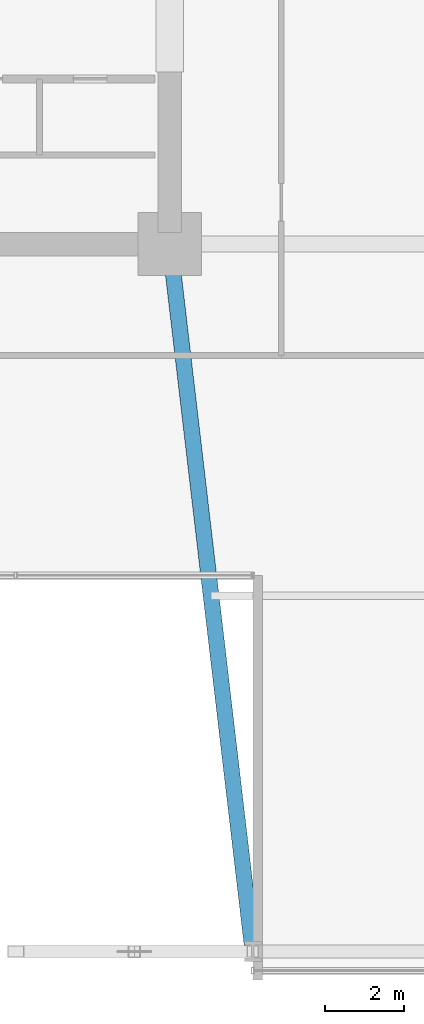
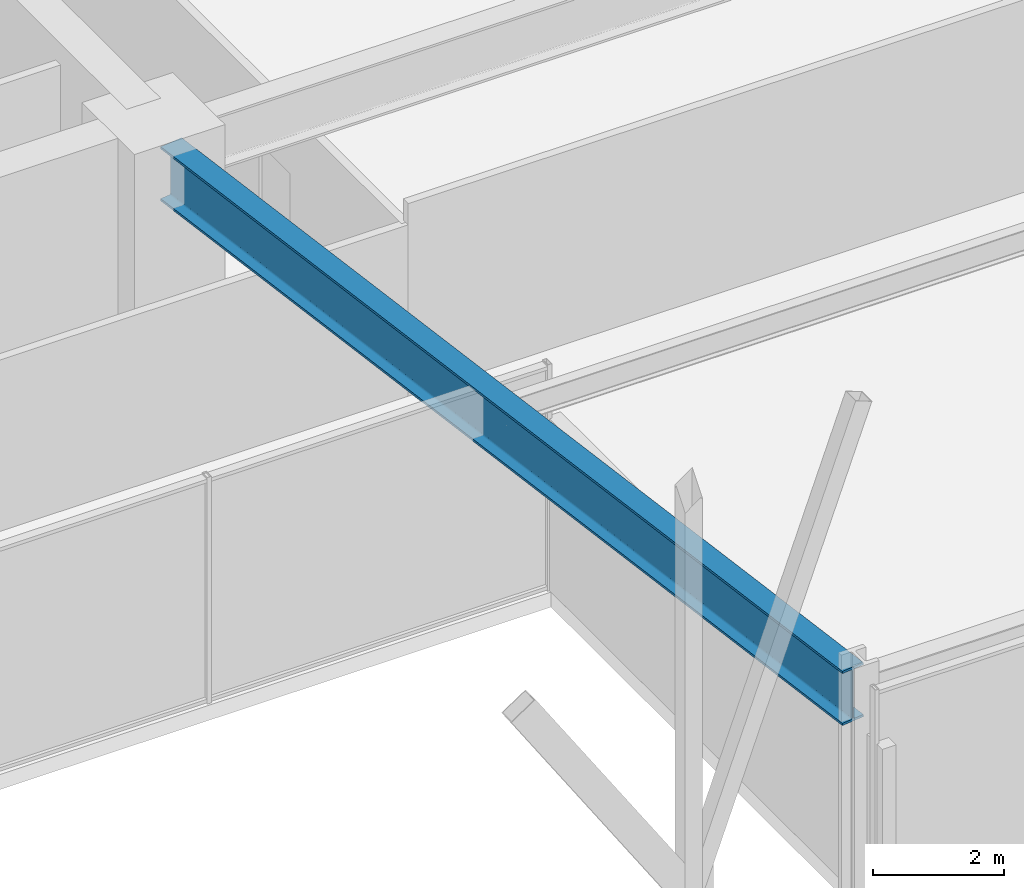
# One storey, part 17 of 47: 1 beam.
"""IFC4 building model written with IfcOpenShell, lengths in metres."""

from ifc_helpers import new_model, si_unit, direction, frame, origin, origin_2d, place, context, subcontext, project, spatial, i_section, extrude, material, material_profile, profile_set, type_object, element, save


model = new_model("IFC4")

# Units and contexts
model_context = context("Model", 3, precision=1e-05, world=origin(), true_north=direction((0.0, 1.0)))
body_context = subcontext(model_context, "Body", "Model", "MODEL_VIEW")
ifc_project = project(units=[si_unit("LENGTHUNIT", "METRE"), si_unit("AREAUNIT", "SQUARE_METRE"), si_unit("VOLUMEUNIT", "CUBIC_METRE"), si_unit("PLANEANGLEUNIT", "RADIAN"), si_unit("MASSUNIT", "GRAM", prefix="KILO")], contexts=[model_context])

# Site, building, storey
site_placement = place(None, origin())
site = spatial("IfcSite", under=ifc_project, at=site_placement, CompositionType="ELEMENT")
building_placement = place(site_placement, origin())
building = spatial("IfcBuilding", under=site, at=building_placement, Name="Kolvaren Belvedere", CompositionType="ELEMENT")
storey_placement = place(building_placement, frame((0.0, 0.0, 5.5)))
storey = spatial("IfcBuildingStorey", under=building, at=storey_placement, Name="L02", CompositionType="ELEMENT", Elevation=5.5)

# Beam
ifc_material = material(Name="Structural steel ASTM A992 Grade 50", Category="steel")
ifc_material_profile = material_profile(ifc_material, i_section(OverallWidth=0.40087890625, OverallDepth=1.010986328125, WebThickness=0.023681640625, FlangeThickness=0.0419921875, FilletRadius=0.030029296875, at=origin_2d()), Name="W40X297")
ifc_profile_set = profile_set([ifc_material_profile], Name="Structural steel ASTM A992 Grade 50")
beam_type = type_object("IfcBeamType", Name="BM-BALL-W40X297", PredefinedType="BEAM", material=ifc_profile_set)
beam_placement = place(storey_placement, frame((9.952392578125, -10.346923828125, 3.714599609375), z_axis=(0.116516841483, -0.993188716031, 0.0), x_axis=(0.993188716031, 0.116516841483, 0.0)))
element("IfcBeam", 1, at=beam_placement, inside=storey, type_object=beam_type, Name="L02 South-East Portal Girder", PredefinedType="BEAM", context=body_context, shape_type="SweptSolid", body=[
    extrude(i_section(OverallWidth=0.40087890625, OverallDepth=1.010986328125, WebThickness=0.023681640625, FlangeThickness=0.0419921875, FilletRadius=0.030029296875, at=origin_2d()), origin(), (0.0, 0.0, 1.0), 17.422607421875),
])

save(model, "model.ifc")
